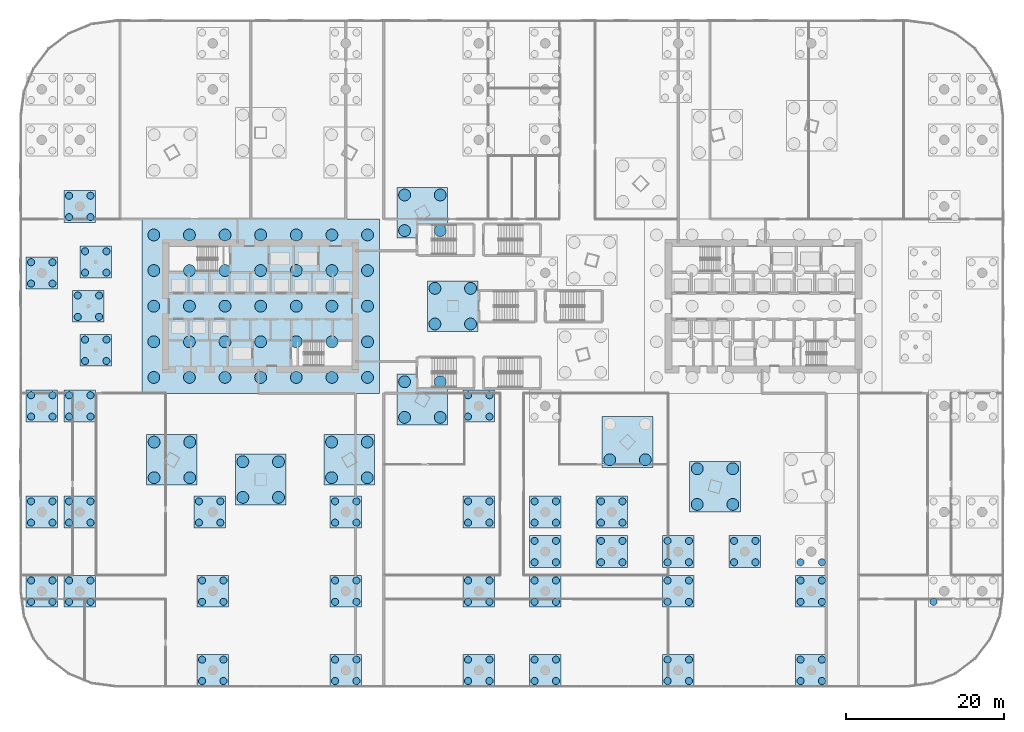
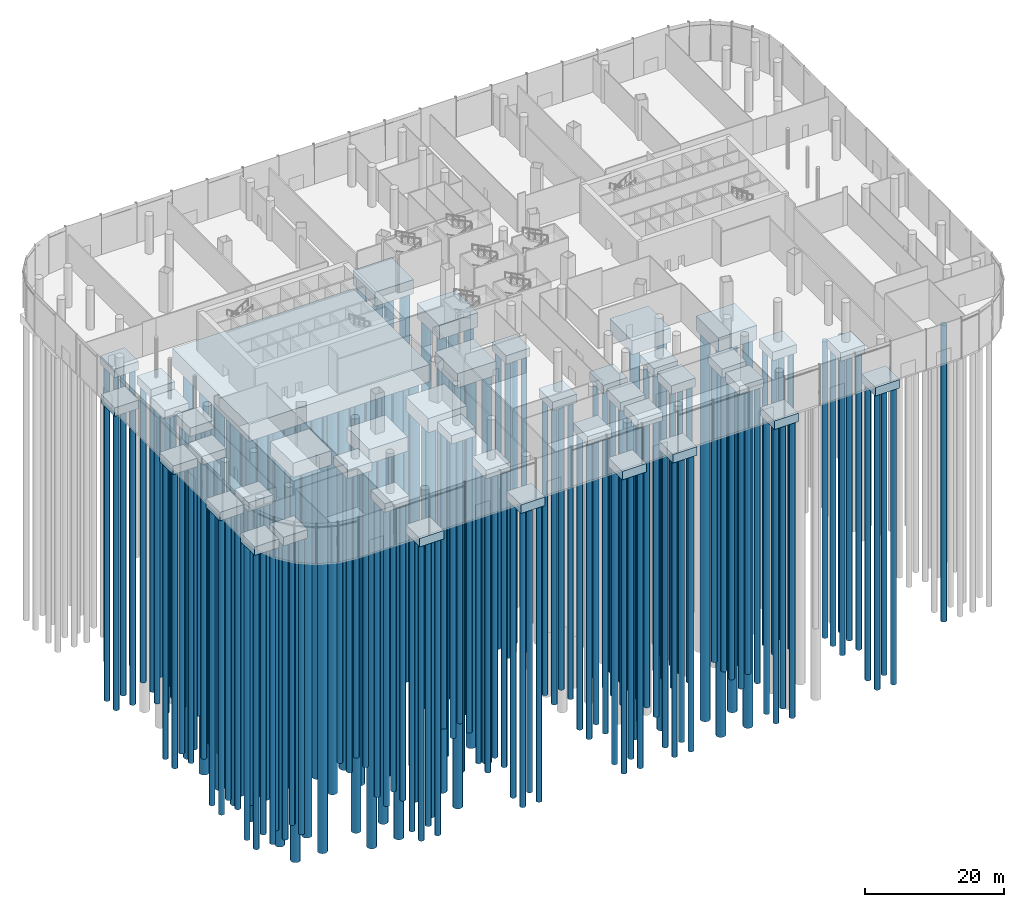
# One storey, part 1 of 41: 200 piles, 42 footings.
"""IFC4 building model written with IfcOpenShell, lengths in metres."""

from ifc_helpers import new_model, si_unit, direction, frame, origin, origin_2d, place, context, subcontext, project, spatial, polyline, rectangle, circle, outline, extrude, material, material_profile, profile_set, type_object, element, save


model = new_model("IFC4")

# Units and contexts
model_context = context("Model", 3, precision=1e-05, world=origin(), true_north=direction((0.0, 1.0)))
body_context = subcontext(model_context, "Body", "Model", "MODEL_VIEW")
ifc_project = project(units=[si_unit("LENGTHUNIT", "METRE"), si_unit("AREAUNIT", "SQUARE_METRE"), si_unit("VOLUMEUNIT", "CUBIC_METRE"), si_unit("PLANEANGLEUNIT", "RADIAN"), si_unit("MASSUNIT", "GRAM", prefix="KILO")], contexts=[model_context])

# Site, building, storey
site_placement = place(None, origin())
site = spatial("IfcSite", under=ifc_project, at=site_placement, CompositionType="ELEMENT")
building_placement = place(site_placement, origin())
building = spatial("IfcBuilding", under=site, at=building_placement, Name="Rimbun Link Towers", CompositionType="ELEMENT")
storey_placement = place(building_placement, origin())
storey = spatial("IfcBuildingStorey", under=building, at=storey_placement, Name="L00", CompositionType="ELEMENT", Elevation=0.0)

# Footings
ifc_material_1 = material(Name="Concrete C50/60", Category="concrete")
footing_type_1 = type_object("IfcFootingType", Name="PILE CAP 4000x4000x1500", PredefinedType="PILE_CAP", material=ifc_material_1)
for number, where, z_axis, x_axis, name in (
    (1, (-52.58642578125, 5.5830078125, -1.800048828125), (0.0, 0.0, 1.0), (1.0, 0.0, 0.0), "Recess post cap T1 11"),
    (2, (-53.50927734375, 0.0, -1.800048828125), (0.0, 0.0, 1.0), (1.0, 0.0, 0.0), "Recess post cap T1 12"),
    (3, (-52.58642578125, -5.5830078125, -1.800048828125), (0.0, 0.0, 1.0), (1.0, 0.0, 0.0), "Recess post cap T1 13"),
    (4, (-59.39990234375, -36.0, -1.800048828125), (0.0, 0.0, 1.0), (1.0, 0.0, 0.0), "Pad cap -59.4 -36.0"),
    (5, (-59.39990234375, -26.0, -1.800048828125), (0.0, 0.0, 1.0), (1.0, 0.0, 0.0), "Pad cap -59.4 -26.0"),
    (6, (-59.39990234375, -12.60009765625, -1.800048828125), (0.0, 0.0, 1.0), (1.0, 0.0, 0.0), "Pad cap -59.4 -12.6"),
    (7, (-59.39990234375, 4.199951171875, -1.800048828125), (0.0, 0.0, 1.0), (1.0, 0.0, 0.0), "Pad cap -59.4 +4.2"),
    (8, (-54.60009765625, -36.0, -1.800048828125), (0.0, 0.0, 1.0), (1.0, 0.0, 0.0), "Pad cap -54.6 -36.0"),
    (9, (-54.60009765625, -26.0, -1.800048828125), (0.0, 0.0, 1.0), (1.0, 0.0, 0.0), "Pad cap -54.6 -26.0"),
    (10, (-54.60009765625, -12.60009765625, -1.800048828125), (0.0, 0.0, 1.0), (1.0, 0.0, 0.0), "Pad cap -54.6 -12.6"),
    (11, (-54.60009765625, 12.60009765625, -1.800048828125), (0.0, 0.0, 1.0), (1.0, 0.0, 0.0), "Pad cap -54.6 +12.6"),
    (12, (-37.800048828125, -46.0, -1.800048828125), (0.0, 0.0, 1.0), (1.0, 0.0, 0.0), "Pad cap -37.8 -46.0"),
    (13, (-37.800048828125, -36.0, -1.800048828125), (0.0, 0.0, 1.0), (1.0, 0.0, 0.0), "Pad cap -37.8 -36.0"),
    (14, (-38.199951171875, -26.0, -1.800048828125), (0.0, 0.0, 1.0), (1.0, 0.0, 0.0), "Pad cap -37.8 -26.0"),
    (15, (-21.0, -46.0, -1.800048828125), (0.0, 0.0, 1.0), (1.0, 0.0, 0.0), "Pad cap -21.0 -46.0"),
    (16, (-21.0, -36.0, -1.800048828125), (0.0, 0.0, 1.0), (1.0, 0.0, 0.0), "Pad cap -21.0 -36.0"),
    (17, (-21.0, -26.0, -1.800048828125), (0.0, 0.0, 1.0), (1.0, 0.0, 0.0), "Pad cap -21.0 -26.0"),
    (18, (-4.199951171875, -46.0, -1.800048828125), (0.0, 0.0, 1.0), (1.0, 0.0, 0.0), "Pad cap -4.2 -46.0"),
    (19, (-4.199951171875, -36.0, -1.800048828125), (0.0, 0.0, 1.0), (1.0, 0.0, 0.0), "Pad cap -4.2 -36.0"),
    (20, (-4.199951171875, -26.0, -1.800048828125), (0.0, 0.0, 1.0), (1.0, 0.0, 0.0), "Pad cap -4.2 -26.0"),
    (21, (-4.199951171875, -12.60009765625, -1.800048828125), (0.0, 0.0, 1.0), (1.0, 0.0, 0.0), "Pad cap -4.2 -12.6"),
    (22, (4.199951171875, -46.0, -1.800048828125), (0.0, 0.0, 1.0), (1.0, 0.0, 0.0), "Pad cap +4.2 -46.0"),
    (23, (4.199951171875, -36.0, -1.800048828125), (0.0, 0.0, 1.0), (1.0, 0.0, 0.0), "Pad cap +4.2 -36.0"),
    (24, (4.199951171875, -31.0, -1.800048828125), (0.0, 0.0, 1.0), (1.0, 0.0, 0.0), "Pad cap +4.2 -31.0"),
    (25, (4.199951171875, -26.0, -1.800048828125), (0.0, 0.0, 1.0), (1.0, 0.0, 0.0), "Pad cap +4.2 -26.0"),
    (26, (12.60009765625, -31.0, -1.800048828125), (0.0, 0.0, 1.0), (1.0, 0.0, 0.0), "Pad cap +12.6 -31.0"),
    (27, (12.60009765625, -26.0, -1.800048828125), (0.0, 0.0, 1.0), (1.0, 0.0, 0.0), "Pad cap +12.6 -26.0"),
    (28, (21.0, -46.0, -1.800048828125), (0.0, 0.0, 1.0), (1.0, 0.0, 0.0), "Pad cap +21.0 -46.0"),
    (29, (21.0, -36.0, -1.800048828125), (0.0, 0.0, 1.0), (1.0, 0.0, 0.0), "Pad cap +21.0 -36.0"),
    (30, (21.0, -31.0, -1.800048828125), (0.0, 0.0, 1.0), (1.0, 0.0, 0.0), "Pad cap +21.0 -31.0"),
    (31, (29.39990234375, -31.0, -1.800048828125), (0.0, 0.0, 1.0), (1.0, 0.0, 0.0), "Pad cap +29.4 -31.0"),
    (32, (37.800048828125, -46.0, -1.800048828125), (0.0, 0.0, 1.0), (1.0, 0.0, 0.0), "Pad cap +37.8 -46.0"),
    (33, (37.800048828125, -36.0, -1.800048828125), (0.0, 0.0, 1.0), (1.0, 0.0, 0.0), "Pad cap +37.8 -36.0"),
):
    element("IfcFooting", number, at=place(storey_placement, frame(where, z_axis=z_axis, x_axis=x_axis)), inside=storey, type_object=footing_type_1, Name=name, PredefinedType="PILE_CAP", context=body_context, shape_type="SweptSolid", body=[
        extrude(rectangle(XDim=4.0, YDim=4.0, at=origin_2d()), origin(), (0.0, 0.0, 1.0), 1.5),
    ])
ifc_material_2 = material(Name="Concrete C50/60", Category="concrete")
footing_type_2 = type_object("IfcFootingType", Name="PILE CAP 6400x6400x2500", PredefinedType="PILE_CAP", material=ifc_material_2)
for number, where, z_axis, x_axis, name in (
    (34, (-7.4873046875, 0.0, -2.800048828125), (0.0, 0.0, 1.0), (1.0, 0.0, 0.0), "Mega column cap T1 00"),
    (35, (-11.316650390625, 11.797119140625, -2.800048828125), (0.0, 0.0, 1.0), (1.0, 0.0, 0.0), "Mega column cap T1 02"),
    (36, (-42.961181640625, -19.418212890625, -2.800048828125), (0.0, 0.0, 1.0), (1.0, 0.0, 0.0), "Mega column cap T1 16"),
    (37, (-31.75, -21.904296875, -2.800048828125), (0.0, 0.0, 1.0), (1.0, 0.0, 0.0), "Mega column cap T1 18"),
    (38, (-20.538818359375, -19.418212890625, -2.800048828125), (0.0, 0.0, 1.0), (1.0, 0.0, 0.0), "Mega column cap T1 20"),
    (39, (-11.316650390625, -11.797119140625, -2.800048828125), (0.0, 0.0, 1.0), (1.0, 0.0, 0.0), "Mega column cap T1 22"),
    (40, (14.59375, -17.15625, -2.800048828125), (0.0, 0.0, 1.0), (1.0, 0.0, 0.0), "Mega column cap T2 12"),
    (41, (25.643310546875, -22.790283203125, -2.800048828125), (0.0, 0.0, 1.0), (1.0, 0.0, 0.0), "Mega column cap T2 14"),
):
    element("IfcFooting", number, at=place(storey_placement, frame(where, z_axis=z_axis, x_axis=x_axis)), inside=storey, type_object=footing_type_2, Name=name, PredefinedType="PILE_CAP", context=body_context, shape_type="SweptSolid", body=[
        extrude(rectangle(XDim=6.39990234375, YDim=6.39990234375, at=origin_2d()), origin(), (0.0, 0.0, 1.0), 2.5),
    ])

# Piles
ifc_material_3 = material(Name="Concrete C40/50", Category="concrete")
ifc_material_profile_1 = material_profile(ifc_material_3, circle(Radius=0.75, at=origin_2d()), Name="PILE D1500")
ifc_profile_set_1 = profile_set([ifc_material_profile_1], Name="Concrete C40/50")
pile_type_1 = type_object("IfcPileType", Name="PILE D1500", PredefinedType="BORED", material=ifc_profile_set_1)
for number, where, z_axis, x_axis, name in (
    (42, (-45.25, -9.0, -3.199951171875), (0.0, 0.0, -1.0), (1.0, 0.0, 0.0), "Pile T1 raft 01"),
    (43, (-45.25, -4.5, -3.199951171875), (0.0, 0.0, -1.0), (1.0, 0.0, 0.0), "Pile T1 raft 02"),
    (44, (-45.25, 0.0, -3.199951171875), (0.0, 0.0, -1.0), (1.0, 0.0, 0.0), "Pile T1 raft 03"),
    (45, (-45.25, 4.5, -3.199951171875), (0.0, 0.0, -1.0), (1.0, 0.0, 0.0), "Pile T1 raft 04"),
    (46, (-45.25, 9.0, -3.199951171875), (0.0, 0.0, -1.0), (1.0, 0.0, 0.0), "Pile T1 raft 05"),
    (47, (-40.75, -9.0, -3.199951171875), (0.0, 0.0, -1.0), (1.0, 0.0, 0.0), "Pile T1 raft 06"),
    (48, (-40.75, -4.5, -3.199951171875), (0.0, 0.0, -1.0), (1.0, 0.0, 0.0), "Pile T1 raft 07"),
    (49, (-40.75, 0.0, -3.199951171875), (0.0, 0.0, -1.0), (1.0, 0.0, 0.0), "Pile T1 raft 08"),
    (50, (-40.75, 4.5, -3.199951171875), (0.0, 0.0, -1.0), (1.0, 0.0, 0.0), "Pile T1 raft 09"),
    (51, (-40.75, 9.0, -3.199951171875), (0.0, 0.0, -1.0), (1.0, 0.0, 0.0), "Pile T1 raft 10"),
    (52, (-36.25, -9.0, -3.199951171875), (0.0, 0.0, -1.0), (1.0, 0.0, 0.0), "Pile T1 raft 11"),
    (53, (-36.25, -4.5, -3.199951171875), (0.0, 0.0, -1.0), (1.0, 0.0, 0.0), "Pile T1 raft 12"),
    (54, (-36.25, 0.0, -3.199951171875), (0.0, 0.0, -1.0), (1.0, 0.0, 0.0), "Pile T1 raft 13"),
    (55, (-36.25, 4.5, -3.199951171875), (0.0, 0.0, -1.0), (1.0, 0.0, 0.0), "Pile T1 raft 14"),
    (56, (-36.25, 9.0, -3.199951171875), (0.0, 0.0, -1.0), (1.0, 0.0, 0.0), "Pile T1 raft 15"),
    (57, (-31.75, -9.0, -3.199951171875), (0.0, 0.0, -1.0), (1.0, 0.0, 0.0), "Pile T1 raft 16"),
    (58, (-31.75, -4.5, -3.199951171875), (0.0, 0.0, -1.0), (1.0, 0.0, 0.0), "Pile T1 raft 17"),
    (59, (-31.75, 0.0, -3.199951171875), (0.0, 0.0, -1.0), (1.0, 0.0, 0.0), "Pile T1 raft 18"),
    (60, (-31.75, 4.5, -3.199951171875), (0.0, 0.0, -1.0), (1.0, 0.0, 0.0), "Pile T1 raft 19"),
    (61, (-31.75, 9.0, -3.199951171875), (0.0, 0.0, -1.0), (1.0, 0.0, 0.0), "Pile T1 raft 20"),
    (62, (-27.25, -9.0, -3.199951171875), (0.0, 0.0, -1.0), (1.0, 0.0, 0.0), "Pile T1 raft 21"),
    (63, (-27.25, -4.5, -3.199951171875), (0.0, 0.0, -1.0), (1.0, 0.0, 0.0), "Pile T1 raft 22"),
    (64, (-27.25, 0.0, -3.199951171875), (0.0, 0.0, -1.0), (1.0, 0.0, 0.0), "Pile T1 raft 23"),
    (65, (-27.25, 4.5, -3.199951171875), (0.0, 0.0, -1.0), (1.0, 0.0, 0.0), "Pile T1 raft 24"),
    (66, (-27.25, 9.0, -3.199951171875), (0.0, 0.0, -1.0), (1.0, 0.0, 0.0), "Pile T1 raft 25"),
    (67, (-22.75, -9.0, -3.199951171875), (0.0, 0.0, -1.0), (1.0, 0.0, 0.0), "Pile T1 raft 26"),
    (68, (-22.75, -4.5, -3.199951171875), (0.0, 0.0, -1.0), (1.0, 0.0, 0.0), "Pile T1 raft 27"),
    (69, (-22.75, 0.0, -3.199951171875), (0.0, 0.0, -1.0), (1.0, 0.0, 0.0), "Pile T1 raft 28"),
    (70, (-22.75, 4.5, -3.199951171875), (0.0, 0.0, -1.0), (1.0, 0.0, 0.0), "Pile T1 raft 29"),
    (71, (-22.75, 9.0, -3.199951171875), (0.0, 0.0, -1.0), (1.0, 0.0, 0.0), "Pile T1 raft 30"),
    (72, (-18.25, -9.0, -3.199951171875), (0.0, 0.0, -1.0), (1.0, 0.0, 0.0), "Pile T1 raft 31"),
    (73, (-18.25, -4.5, -3.199951171875), (0.0, 0.0, -1.0), (1.0, 0.0, 0.0), "Pile T1 raft 32"),
    (74, (-18.25, 0.0, -3.199951171875), (0.0, 0.0, -1.0), (1.0, 0.0, 0.0), "Pile T1 raft 33"),
    (75, (-18.25, 4.5, -3.199951171875), (0.0, 0.0, -1.0), (1.0, 0.0, 0.0), "Pile T1 raft 34"),
    (76, (-18.25, 9.0, -3.199951171875), (0.0, 0.0, -1.0), (1.0, 0.0, 0.0), "Pile T1 raft 35"),
    (77, (-9.7373046875, -2.25, -2.699951171875), (0.0, 0.0, -1.0), (1.0, 0.0, 0.0), "Pile T1 cap 00 01"),
    (78, (-9.7373046875, 2.25, -2.699951171875), (0.0, 0.0, -1.0), (1.0, 0.0, 0.0), "Pile T1 cap 00 02"),
    (79, (-5.2373046875, -2.25, -2.699951171875), (0.0, 0.0, -1.0), (1.0, 0.0, 0.0), "Pile T1 cap 00 03"),
    (80, (-5.2373046875, 2.25, -2.699951171875), (0.0, 0.0, -1.0), (1.0, 0.0, 0.0), "Pile T1 cap 00 04"),
    (81, (-13.566650390625, 9.547119140625, -2.699951171875), (0.0, 0.0, -1.0), (1.0, 0.0, 0.0), "Pile T1 cap 02 01"),
    (82, (-13.566650390625, 14.047119140625, -2.699951171875), (0.0, 0.0, -1.0), (1.0, 0.0, 0.0), "Pile T1 cap 02 02"),
    (83, (-9.066650390625, 9.547119140625, -2.699951171875), (0.0, 0.0, -1.0), (1.0, 0.0, 0.0), "Pile T1 cap 02 03"),
    (84, (-9.066650390625, 14.047119140625, -2.699951171875), (0.0, 0.0, -1.0), (1.0, 0.0, 0.0), "Pile T1 cap 02 04"),
    (85, (-45.211181640625, -21.668212890625, -2.699951171875), (0.0, 0.0, -1.0), (1.0, 0.0, 0.0), "Pile T1 cap 16 01"),
    (86, (-45.211181640625, -17.168212890625, -2.699951171875), (0.0, 0.0, -1.0), (1.0, 0.0, 0.0), "Pile T1 cap 16 02"),
    (87, (-40.711181640625, -21.668212890625, -2.699951171875), (0.0, 0.0, -1.0), (1.0, 0.0, 0.0), "Pile T1 cap 16 03"),
    (88, (-40.711181640625, -17.168212890625, -2.699951171875), (0.0, 0.0, -1.0), (1.0, 0.0, 0.0), "Pile T1 cap 16 04"),
    (89, (-34.0, -24.154296875, -2.699951171875), (0.0, 0.0, -1.0), (1.0, 0.0, 0.0), "Pile T1 cap 18 01"),
    (90, (-34.0, -19.654296875, -2.699951171875), (0.0, 0.0, -1.0), (1.0, 0.0, 0.0), "Pile T1 cap 18 02"),
    (91, (-29.5, -24.154296875, -2.699951171875), (0.0, 0.0, -1.0), (1.0, 0.0, 0.0), "Pile T1 cap 18 03"),
    (92, (-29.5, -19.654296875, -2.699951171875), (0.0, 0.0, -1.0), (1.0, 0.0, 0.0), "Pile T1 cap 18 04"),
    (93, (-22.788818359375, -21.668212890625, -2.699951171875), (0.0, 0.0, -1.0), (1.0, 0.0, 0.0), "Pile T1 cap 20 01"),
    (94, (-22.788818359375, -17.168212890625, -2.699951171875), (0.0, 0.0, -1.0), (1.0, 0.0, 0.0), "Pile T1 cap 20 02"),
    (95, (-18.288818359375, -21.668212890625, -2.699951171875), (0.0, 0.0, -1.0), (1.0, 0.0, 0.0), "Pile T1 cap 20 03"),
    (96, (-18.288818359375, -17.168212890625, -2.699951171875), (0.0, 0.0, -1.0), (1.0, 0.0, 0.0), "Pile T1 cap 20 04"),
    (97, (-13.566650390625, -14.047119140625, -2.699951171875), (0.0, 0.0, -1.0), (1.0, 0.0, 0.0), "Pile T1 cap 22 01"),
    (98, (-13.566650390625, -9.547119140625, -2.699951171875), (0.0, 0.0, -1.0), (1.0, 0.0, 0.0), "Pile T1 cap 22 02"),
    (99, (-9.066650390625, -14.047119140625, -2.699951171875), (0.0, 0.0, -1.0), (1.0, 0.0, 0.0), "Pile T1 cap 22 03"),
    (100, (-9.066650390625, -9.547119140625, -2.699951171875), (0.0, 0.0, -1.0), (1.0, 0.0, 0.0), "Pile T1 cap 22 04"),
    (101, (12.34375, -19.40625, -2.699951171875), (0.0, 0.0, -1.0), (1.0, 0.0, 0.0), "Pile T2 cap 12 01"),
    (102, (16.84375, -19.40625, -2.699951171875), (0.0, 0.0, -1.0), (1.0, 0.0, 0.0), "Pile T2 cap 12 03"),
    (103, (23.393310546875, -25.040283203125, -2.699951171875), (0.0, 0.0, -1.0), (1.0, 0.0, 0.0), "Pile T2 cap 14 01"),
    (104, (23.393310546875, -20.540283203125, -2.699951171875), (0.0, 0.0, -1.0), (1.0, 0.0, 0.0), "Pile T2 cap 14 02"),
    (105, (27.893310546875, -25.040283203125, -2.699951171875), (0.0, 0.0, -1.0), (1.0, 0.0, 0.0), "Pile T2 cap 14 03"),
    (106, (27.893310546875, -20.540283203125, -2.699951171875), (0.0, 0.0, -1.0), (1.0, 0.0, 0.0), "Pile T2 cap 14 04"),
):
    element("IfcPile", number, at=place(storey_placement, frame(where, z_axis=z_axis, x_axis=x_axis)), inside=storey, type_object=pile_type_1, Name=name, PredefinedType="BORED", context=body_context, shape_type="SweptSolid", body=[
        extrude(circle(Radius=0.75, at=origin_2d()), origin(), (0.0, 0.0, 1.0), 68.0),
    ])
ifc_material_4 = material(Name="Concrete C40/50", Category="concrete")
ifc_material_profile_2 = material_profile(ifc_material_4, circle(Radius=0.449951171875, at=origin_2d()), Name="PILE D900")
ifc_profile_set_2 = profile_set([ifc_material_profile_2], Name="Concrete C40/50")
pile_type_2 = type_object("IfcPileType", Name="PILE D900", PredefinedType="BORED", material=ifc_profile_set_2)
for number, where, z_axis, x_axis, name in (
    (107, (-53.9365234375, 4.233154296875, -1.699951171875), (0.0, 0.0, -1.0), (1.0, 0.0, 0.0), "Pile T1 recess post 11 01"),
    (108, (-53.9365234375, 6.93310546875, -1.699951171875), (0.0, 0.0, -1.0), (1.0, 0.0, 0.0), "Pile T1 recess post 11 02"),
    (109, (-51.236572265625, 4.233154296875, -1.699951171875), (0.0, 0.0, -1.0), (1.0, 0.0, 0.0), "Pile T1 recess post 11 03"),
    (110, (-51.236572265625, 6.93310546875, -1.699951171875), (0.0, 0.0, -1.0), (1.0, 0.0, 0.0), "Pile T1 recess post 11 04"),
    (111, (-54.859375, -1.35009765625, -1.699951171875), (0.0, 0.0, -1.0), (1.0, 0.0, 0.0), "Pile T1 recess post 12 01"),
    (112, (-54.859375, 1.35009765625, -1.699951171875), (0.0, 0.0, -1.0), (1.0, 0.0, 0.0), "Pile T1 recess post 12 02"),
    (113, (-52.1591796875, -1.35009765625, -1.699951171875), (0.0, 0.0, -1.0), (1.0, 0.0, 0.0), "Pile T1 recess post 12 03"),
    (114, (-52.1591796875, 1.35009765625, -1.699951171875), (0.0, 0.0, -1.0), (1.0, 0.0, 0.0), "Pile T1 recess post 12 04"),
    (115, (-53.9365234375, -6.93310546875, -1.699951171875), (0.0, 0.0, -1.0), (1.0, 0.0, 0.0), "Pile T1 recess post 13 01"),
    (116, (-53.9365234375, -4.233154296875, -1.699951171875), (0.0, 0.0, -1.0), (1.0, 0.0, 0.0), "Pile T1 recess post 13 02"),
    (117, (-51.236572265625, -6.93310546875, -1.699951171875), (0.0, 0.0, -1.0), (1.0, 0.0, 0.0), "Pile T1 recess post 13 03"),
    (118, (-51.236572265625, -4.233154296875, -1.699951171875), (0.0, 0.0, -1.0), (1.0, 0.0, 0.0), "Pile T1 recess post 13 04"),
    (119, (-60.75, -37.35009765625, -1.699951171875), (0.0, 0.0, -1.0), (1.0, 0.0, 0.0), "Pile PD -59.4 -36.0 01"),
    (120, (-60.75, -34.64990234375, -1.699951171875), (0.0, 0.0, -1.0), (1.0, 0.0, 0.0), "Pile PD -59.4 -36.0 02"),
    (121, (-58.050048828125, -37.35009765625, -1.699951171875), (0.0, 0.0, -1.0), (1.0, 0.0, 0.0), "Pile PD -59.4 -36.0 03"),
    (122, (-58.050048828125, -34.64990234375, -1.699951171875), (0.0, 0.0, -1.0), (1.0, 0.0, 0.0), "Pile PD -59.4 -36.0 04"),
    (123, (-60.75, -27.35009765625, -1.699951171875), (0.0, 0.0, -1.0), (1.0, 0.0, 0.0), "Pile PD -59.4 -26.0 01"),
    (124, (-60.75, -24.64990234375, -1.699951171875), (0.0, 0.0, -1.0), (1.0, 0.0, 0.0), "Pile PD -59.4 -26.0 02"),
    (125, (-58.050048828125, -27.35009765625, -1.699951171875), (0.0, 0.0, -1.0), (1.0, 0.0, 0.0), "Pile PD -59.4 -26.0 03"),
    (126, (-58.050048828125, -24.64990234375, -1.699951171875), (0.0, 0.0, -1.0), (1.0, 0.0, 0.0), "Pile PD -59.4 -26.0 04"),
    (127, (-60.75, -13.949951171875, -1.699951171875), (0.0, 0.0, -1.0), (1.0, 0.0, 0.0), "Pile PD -59.4 -12.6 01"),
    (128, (-60.75, -11.25, -1.699951171875), (0.0, 0.0, -1.0), (1.0, 0.0, 0.0), "Pile PD -59.4 -12.6 02"),
    (129, (-58.050048828125, -13.949951171875, -1.699951171875), (0.0, 0.0, -1.0), (1.0, 0.0, 0.0), "Pile PD -59.4 -12.6 03"),
    (130, (-58.050048828125, -11.25, -1.699951171875), (0.0, 0.0, -1.0), (1.0, 0.0, 0.0), "Pile PD -59.4 -12.6 04"),
    (131, (-60.75, 2.85009765625, -1.699951171875), (0.0, 0.0, -1.0), (1.0, 0.0, 0.0), "Pile PD -59.4 +4.2 01"),
    (132, (-60.75, 5.550048828125, -1.699951171875), (0.0, 0.0, -1.0), (1.0, 0.0, 0.0), "Pile PD -59.4 +4.2 02"),
    (133, (-58.050048828125, 2.85009765625, -1.699951171875), (0.0, 0.0, -1.0), (1.0, 0.0, 0.0), "Pile PD -59.4 +4.2 03"),
    (134, (-58.050048828125, 5.550048828125, -1.699951171875), (0.0, 0.0, -1.0), (1.0, 0.0, 0.0), "Pile PD -59.4 +4.2 04"),
    (135, (-55.949951171875, -37.35009765625, -1.699951171875), (0.0, 0.0, -1.0), (1.0, 0.0, 0.0), "Pile PD -54.6 -36.0 01"),
    (136, (-55.949951171875, -34.64990234375, -1.699951171875), (0.0, 0.0, -1.0), (1.0, 0.0, 0.0), "Pile PD -54.6 -36.0 02"),
    (137, (-53.25, -37.35009765625, -1.699951171875), (0.0, 0.0, -1.0), (1.0, 0.0, 0.0), "Pile PD -54.6 -36.0 03"),
    (138, (-53.25, -34.64990234375, -1.699951171875), (0.0, 0.0, -1.0), (1.0, 0.0, 0.0), "Pile PD -54.6 -36.0 04"),
    (139, (-55.949951171875, -27.35009765625, -1.699951171875), (0.0, 0.0, -1.0), (1.0, 0.0, 0.0), "Pile PD -54.6 -26.0 01"),
    (140, (-55.949951171875, -24.64990234375, -1.699951171875), (0.0, 0.0, -1.0), (1.0, 0.0, 0.0), "Pile PD -54.6 -26.0 02"),
    (141, (-53.25, -27.35009765625, -1.699951171875), (0.0, 0.0, -1.0), (1.0, 0.0, 0.0), "Pile PD -54.6 -26.0 03"),
    (142, (-53.25, -24.64990234375, -1.699951171875), (0.0, 0.0, -1.0), (1.0, 0.0, 0.0), "Pile PD -54.6 -26.0 04"),
    (143, (-55.949951171875, -13.949951171875, -1.699951171875), (0.0, 0.0, -1.0), (1.0, 0.0, 0.0), "Pile PD -54.6 -12.6 01"),
    (144, (-55.949951171875, -11.25, -1.699951171875), (0.0, 0.0, -1.0), (1.0, 0.0, 0.0), "Pile PD -54.6 -12.6 02"),
    (145, (-53.25, -13.949951171875, -1.699951171875), (0.0, 0.0, -1.0), (1.0, 0.0, 0.0), "Pile PD -54.6 -12.6 03"),
    (146, (-53.25, -11.25, -1.699951171875), (0.0, 0.0, -1.0), (1.0, 0.0, 0.0), "Pile PD -54.6 -12.6 04"),
    (147, (-55.949951171875, 11.25, -1.699951171875), (0.0, 0.0, -1.0), (1.0, 0.0, 0.0), "Pile PD -54.6 +12.6 01"),
    (148, (-55.949951171875, 13.949951171875, -1.699951171875), (0.0, 0.0, -1.0), (1.0, 0.0, 0.0), "Pile PD -54.6 +12.6 02"),
    (149, (-53.25, 11.25, -1.699951171875), (0.0, 0.0, -1.0), (1.0, 0.0, 0.0), "Pile PD -54.6 +12.6 03"),
    (150, (-53.25, 13.949951171875, -1.699951171875), (0.0, 0.0, -1.0), (1.0, 0.0, 0.0), "Pile PD -54.6 +12.6 04"),
    (151, (-39.14990234375, -47.35009765625, -1.699951171875), (0.0, 0.0, -1.0), (1.0, 0.0, 0.0), "Pile PD -37.8 -46.0 01"),
    (152, (-39.14990234375, -44.64990234375, -1.699951171875), (0.0, 0.0, -1.0), (1.0, 0.0, 0.0), "Pile PD -37.8 -46.0 02"),
    (153, (-36.449951171875, -47.35009765625, -1.699951171875), (0.0, 0.0, -1.0), (1.0, 0.0, 0.0), "Pile PD -37.8 -46.0 03"),
    (154, (-36.449951171875, -44.64990234375, -1.699951171875), (0.0, 0.0, -1.0), (1.0, 0.0, 0.0), "Pile PD -37.8 -46.0 04"),
    (155, (-39.14990234375, -37.35009765625, -1.699951171875), (0.0, 0.0, -1.0), (1.0, 0.0, 0.0), "Pile PD -37.8 -36.0 01"),
    (156, (-39.14990234375, -34.64990234375, -1.699951171875), (0.0, 0.0, -1.0), (1.0, 0.0, 0.0), "Pile PD -37.8 -36.0 02"),
    (157, (-36.449951171875, -37.35009765625, -1.699951171875), (0.0, 0.0, -1.0), (1.0, 0.0, 0.0), "Pile PD -37.8 -36.0 03"),
    (158, (-36.449951171875, -34.64990234375, -1.699951171875), (0.0, 0.0, -1.0), (1.0, 0.0, 0.0), "Pile PD -37.8 -36.0 04"),
    (159, (-39.550048828125, -27.35009765625, -1.699951171875), (0.0, 0.0, -1.0), (1.0, 0.0, 0.0), "Pile PD -37.8 -26.0 01"),
    (160, (-39.550048828125, -24.64990234375, -1.699951171875), (0.0, 0.0, -1.0), (1.0, 0.0, 0.0), "Pile PD -37.8 -26.0 02"),
    (161, (-36.85009765625, -27.35009765625, -1.699951171875), (0.0, 0.0, -1.0), (1.0, 0.0, 0.0), "Pile PD -37.8 -26.0 03"),
    (162, (-36.85009765625, -24.64990234375, -1.699951171875), (0.0, 0.0, -1.0), (1.0, 0.0, 0.0), "Pile PD -37.8 -26.0 04"),
    (163, (-22.35009765625, -47.35009765625, -1.699951171875), (0.0, 0.0, -1.0), (1.0, 0.0, 0.0), "Pile PD -21.0 -46.0 01"),
    (164, (-22.35009765625, -44.64990234375, -1.699951171875), (0.0, 0.0, -1.0), (1.0, 0.0, 0.0), "Pile PD -21.0 -46.0 02"),
    (165, (-19.64990234375, -47.35009765625, -1.699951171875), (0.0, 0.0, -1.0), (1.0, 0.0, 0.0), "Pile PD -21.0 -46.0 03"),
    (166, (-19.64990234375, -44.64990234375, -1.699951171875), (0.0, 0.0, -1.0), (1.0, 0.0, 0.0), "Pile PD -21.0 -46.0 04"),
    (167, (-22.35009765625, -37.35009765625, -1.699951171875), (0.0, 0.0, -1.0), (1.0, 0.0, 0.0), "Pile PD -21.0 -36.0 01"),
    (168, (-22.35009765625, -34.64990234375, -1.699951171875), (0.0, 0.0, -1.0), (1.0, 0.0, 0.0), "Pile PD -21.0 -36.0 02"),
    (169, (-19.64990234375, -37.35009765625, -1.699951171875), (0.0, 0.0, -1.0), (1.0, 0.0, 0.0), "Pile PD -21.0 -36.0 03"),
    (170, (-19.64990234375, -34.64990234375, -1.699951171875), (0.0, 0.0, -1.0), (1.0, 0.0, 0.0), "Pile PD -21.0 -36.0 04"),
    (171, (-22.35009765625, -27.35009765625, -1.699951171875), (0.0, 0.0, -1.0), (1.0, 0.0, 0.0), "Pile PD -21.0 -26.0 01"),
    (172, (-22.35009765625, -24.64990234375, -1.699951171875), (0.0, 0.0, -1.0), (1.0, 0.0, 0.0), "Pile PD -21.0 -26.0 02"),
    (173, (-19.64990234375, -27.35009765625, -1.699951171875), (0.0, 0.0, -1.0), (1.0, 0.0, 0.0), "Pile PD -21.0 -26.0 03"),
    (174, (-19.64990234375, -24.64990234375, -1.699951171875), (0.0, 0.0, -1.0), (1.0, 0.0, 0.0), "Pile PD -21.0 -26.0 04"),
    (175, (-5.550048828125, -47.35009765625, -1.699951171875), (0.0, 0.0, -1.0), (1.0, 0.0, 0.0), "Pile PD -4.2 -46.0 01"),
    (176, (-5.550048828125, -44.64990234375, -1.699951171875), (0.0, 0.0, -1.0), (1.0, 0.0, 0.0), "Pile PD -4.2 -46.0 02"),
    (177, (-2.85009765625, -47.35009765625, -1.699951171875), (0.0, 0.0, -1.0), (1.0, 0.0, 0.0), "Pile PD -4.2 -46.0 03"),
    (178, (-2.85009765625, -44.64990234375, -1.699951171875), (0.0, 0.0, -1.0), (1.0, 0.0, 0.0), "Pile PD -4.2 -46.0 04"),
    (179, (-5.550048828125, -37.35009765625, -1.699951171875), (0.0, 0.0, -1.0), (1.0, 0.0, 0.0), "Pile PD -4.2 -36.0 01"),
    (180, (-5.550048828125, -34.64990234375, -1.699951171875), (0.0, 0.0, -1.0), (1.0, 0.0, 0.0), "Pile PD -4.2 -36.0 02"),
    (181, (-2.85009765625, -37.35009765625, -1.699951171875), (0.0, 0.0, -1.0), (1.0, 0.0, 0.0), "Pile PD -4.2 -36.0 03"),
    (182, (-2.85009765625, -34.64990234375, -1.699951171875), (0.0, 0.0, -1.0), (1.0, 0.0, 0.0), "Pile PD -4.2 -36.0 04"),
    (183, (-5.550048828125, -27.35009765625, -1.699951171875), (0.0, 0.0, -1.0), (1.0, 0.0, 0.0), "Pile PD -4.2 -26.0 01"),
    (184, (-5.550048828125, -24.64990234375, -1.699951171875), (0.0, 0.0, -1.0), (1.0, 0.0, 0.0), "Pile PD -4.2 -26.0 02"),
    (185, (-2.85009765625, -27.35009765625, -1.699951171875), (0.0, 0.0, -1.0), (1.0, 0.0, 0.0), "Pile PD -4.2 -26.0 03"),
    (186, (-2.85009765625, -24.64990234375, -1.699951171875), (0.0, 0.0, -1.0), (1.0, 0.0, 0.0), "Pile PD -4.2 -26.0 04"),
    (187, (-5.550048828125, -13.949951171875, -1.699951171875), (0.0, 0.0, -1.0), (1.0, 0.0, 0.0), "Pile PD -4.2 -12.6 01"),
    (188, (-5.550048828125, -11.25, -1.699951171875), (0.0, 0.0, -1.0), (1.0, 0.0, 0.0), "Pile PD -4.2 -12.6 02"),
    (189, (-2.85009765625, -13.949951171875, -1.699951171875), (0.0, 0.0, -1.0), (1.0, 0.0, 0.0), "Pile PD -4.2 -12.6 03"),
    (190, (-2.85009765625, -11.25, -1.699951171875), (0.0, 0.0, -1.0), (1.0, 0.0, 0.0), "Pile PD -4.2 -12.6 04"),
    (191, (2.85009765625, -47.35009765625, -1.699951171875), (0.0, 0.0, -1.0), (1.0, 0.0, 0.0), "Pile PD +4.2 -46.0 01"),
    (192, (2.85009765625, -44.64990234375, -1.699951171875), (0.0, 0.0, -1.0), (1.0, 0.0, 0.0), "Pile PD +4.2 -46.0 02"),
    (193, (5.550048828125, -47.35009765625, -1.699951171875), (0.0, 0.0, -1.0), (1.0, 0.0, 0.0), "Pile PD +4.2 -46.0 03"),
    (194, (5.550048828125, -44.64990234375, -1.699951171875), (0.0, 0.0, -1.0), (1.0, 0.0, 0.0), "Pile PD +4.2 -46.0 04"),
    (195, (2.85009765625, -37.35009765625, -1.699951171875), (0.0, 0.0, -1.0), (1.0, 0.0, 0.0), "Pile PD +4.2 -36.0 01"),
    (196, (2.85009765625, -34.64990234375, -1.699951171875), (0.0, 0.0, -1.0), (1.0, 0.0, 0.0), "Pile PD +4.2 -36.0 02"),
    (197, (5.550048828125, -37.35009765625, -1.699951171875), (0.0, 0.0, -1.0), (1.0, 0.0, 0.0), "Pile PD +4.2 -36.0 03"),
    (198, (5.550048828125, -34.64990234375, -1.699951171875), (0.0, 0.0, -1.0), (1.0, 0.0, 0.0), "Pile PD +4.2 -36.0 04"),
    (199, (2.85009765625, -32.35009765625, -1.699951171875), (0.0, 0.0, -1.0), (1.0, 0.0, 0.0), "Pile PD +4.2 -31.0 01"),
    (200, (2.85009765625, -29.64990234375, -1.699951171875), (0.0, 0.0, -1.0), (1.0, 0.0, 0.0), "Pile PD +4.2 -31.0 02"),
    (201, (5.550048828125, -32.35009765625, -1.699951171875), (0.0, 0.0, -1.0), (1.0, 0.0, 0.0), "Pile PD +4.2 -31.0 03"),
    (202, (5.550048828125, -29.64990234375, -1.699951171875), (0.0, 0.0, -1.0), (1.0, 0.0, 0.0), "Pile PD +4.2 -31.0 04"),
    (203, (2.85009765625, -27.35009765625, -1.699951171875), (0.0, 0.0, -1.0), (1.0, 0.0, 0.0), "Pile PD +4.2 -26.0 01"),
    (204, (2.85009765625, -24.64990234375, -1.699951171875), (0.0, 0.0, -1.0), (1.0, 0.0, 0.0), "Pile PD +4.2 -26.0 02"),
    (205, (5.550048828125, -27.35009765625, -1.699951171875), (0.0, 0.0, -1.0), (1.0, 0.0, 0.0), "Pile PD +4.2 -26.0 03"),
    (206, (5.550048828125, -24.64990234375, -1.699951171875), (0.0, 0.0, -1.0), (1.0, 0.0, 0.0), "Pile PD +4.2 -26.0 04"),
    (207, (11.25, -32.35009765625, -1.699951171875), (0.0, 0.0, -1.0), (1.0, 0.0, 0.0), "Pile PD +12.6 -31.0 01"),
    (208, (11.25, -29.64990234375, -1.699951171875), (0.0, 0.0, -1.0), (1.0, 0.0, 0.0), "Pile PD +12.6 -31.0 02"),
    (209, (13.949951171875, -32.35009765625, -1.699951171875), (0.0, 0.0, -1.0), (1.0, 0.0, 0.0), "Pile PD +12.6 -31.0 03"),
    (210, (13.949951171875, -29.64990234375, -1.699951171875), (0.0, 0.0, -1.0), (1.0, 0.0, 0.0), "Pile PD +12.6 -31.0 04"),
    (211, (11.25, -27.35009765625, -1.699951171875), (0.0, 0.0, -1.0), (1.0, 0.0, 0.0), "Pile PD +12.6 -26.0 01"),
    (212, (11.25, -24.64990234375, -1.699951171875), (0.0, 0.0, -1.0), (1.0, 0.0, 0.0), "Pile PD +12.6 -26.0 02"),
    (213, (13.949951171875, -27.35009765625, -1.699951171875), (0.0, 0.0, -1.0), (1.0, 0.0, 0.0), "Pile PD +12.6 -26.0 03"),
    (214, (13.949951171875, -24.64990234375, -1.699951171875), (0.0, 0.0, -1.0), (1.0, 0.0, 0.0), "Pile PD +12.6 -26.0 04"),
    (215, (19.64990234375, -47.35009765625, -1.699951171875), (0.0, 0.0, -1.0), (1.0, 0.0, 0.0), "Pile PD +21.0 -46.0 01"),
    (216, (19.64990234375, -44.64990234375, -1.699951171875), (0.0, 0.0, -1.0), (1.0, 0.0, 0.0), "Pile PD +21.0 -46.0 02"),
    (217, (22.35009765625, -47.35009765625, -1.699951171875), (0.0, 0.0, -1.0), (1.0, 0.0, 0.0), "Pile PD +21.0 -46.0 03"),
    (218, (22.35009765625, -44.64990234375, -1.699951171875), (0.0, 0.0, -1.0), (1.0, 0.0, 0.0), "Pile PD +21.0 -46.0 04"),
    (219, (19.64990234375, -37.35009765625, -1.699951171875), (0.0, 0.0, -1.0), (1.0, 0.0, 0.0), "Pile PD +21.0 -36.0 01"),
    (220, (19.64990234375, -34.64990234375, -1.699951171875), (0.0, 0.0, -1.0), (1.0, 0.0, 0.0), "Pile PD +21.0 -36.0 02"),
    (221, (22.35009765625, -37.35009765625, -1.699951171875), (0.0, 0.0, -1.0), (1.0, 0.0, 0.0), "Pile PD +21.0 -36.0 03"),
    (222, (22.35009765625, -34.64990234375, -1.699951171875), (0.0, 0.0, -1.0), (1.0, 0.0, 0.0), "Pile PD +21.0 -36.0 04"),
    (223, (19.64990234375, -32.35009765625, -1.699951171875), (0.0, 0.0, -1.0), (1.0, 0.0, 0.0), "Pile PD +21.0 -31.0 01"),
    (224, (19.64990234375, -29.64990234375, -1.699951171875), (0.0, 0.0, -1.0), (1.0, 0.0, 0.0), "Pile PD +21.0 -31.0 02"),
    (225, (22.35009765625, -32.35009765625, -1.699951171875), (0.0, 0.0, -1.0), (1.0, 0.0, 0.0), "Pile PD +21.0 -31.0 03"),
    (226, (22.35009765625, -29.64990234375, -1.699951171875), (0.0, 0.0, -1.0), (1.0, 0.0, 0.0), "Pile PD +21.0 -31.0 04"),
    (227, (28.050048828125, -32.35009765625, -1.699951171875), (0.0, 0.0, -1.0), (1.0, 0.0, 0.0), "Pile PD +29.4 -31.0 01"),
    (228, (28.050048828125, -29.64990234375, -1.699951171875), (0.0, 0.0, -1.0), (1.0, 0.0, 0.0), "Pile PD +29.4 -31.0 02"),
    (229, (30.75, -32.35009765625, -1.699951171875), (0.0, 0.0, -1.0), (1.0, 0.0, 0.0), "Pile PD +29.4 -31.0 03"),
    (230, (30.75, -29.64990234375, -1.699951171875), (0.0, 0.0, -1.0), (1.0, 0.0, 0.0), "Pile PD +29.4 -31.0 04"),
    (231, (36.449951171875, -47.35009765625, -1.699951171875), (0.0, 0.0, -1.0), (1.0, 0.0, 0.0), "Pile PD +37.8 -46.0 01"),
    (232, (36.449951171875, -44.64990234375, -1.699951171875), (0.0, 0.0, -1.0), (1.0, 0.0, 0.0), "Pile PD +37.8 -46.0 02"),
    (233, (39.14990234375, -47.35009765625, -1.699951171875), (0.0, 0.0, -1.0), (1.0, 0.0, 0.0), "Pile PD +37.8 -46.0 03"),
    (234, (39.14990234375, -44.64990234375, -1.699951171875), (0.0, 0.0, -1.0), (1.0, 0.0, 0.0), "Pile PD +37.8 -46.0 04"),
    (235, (36.449951171875, -37.35009765625, -1.699951171875), (0.0, 0.0, -1.0), (1.0, 0.0, 0.0), "Pile PD +37.8 -36.0 01"),
    (236, (36.449951171875, -34.64990234375, -1.699951171875), (0.0, 0.0, -1.0), (1.0, 0.0, 0.0), "Pile PD +37.8 -36.0 02"),
    (237, (39.14990234375, -37.35009765625, -1.699951171875), (0.0, 0.0, -1.0), (1.0, 0.0, 0.0), "Pile PD +37.8 -36.0 03"),
    (238, (39.14990234375, -34.64990234375, -1.699951171875), (0.0, 0.0, -1.0), (1.0, 0.0, 0.0), "Pile PD +37.8 -36.0 04"),
    (239, (36.449951171875, -32.35009765625, -1.699951171875), (0.0, 0.0, -1.0), (1.0, 0.0, 0.0), "Pile PD +37.8 -31.0 01"),
    (240, (39.14990234375, -32.35009765625, -1.699951171875), (0.0, 0.0, -1.0), (1.0, 0.0, 0.0), "Pile PD +37.8 -31.0 03"),
    (241, (53.25, -37.35009765625, -1.699951171875), (0.0, 0.0, -1.0), (1.0, 0.0, 0.0), "Pile PD +54.6 -36.0 01"),
):
    element("IfcPile", number, at=place(storey_placement, frame(where, z_axis=z_axis, x_axis=x_axis)), inside=storey, type_object=pile_type_2, Name=name, PredefinedType="BORED", context=body_context, shape_type="SweptSolid", body=[
        extrude(circle(Radius=0.449951171875, at=origin_2d()), origin(), (0.0, 0.0, 1.0), 52.0),
    ])

# Footing
ifc_material_5 = material(Name="Concrete C50/60", Category="concrete")
footing_type_3 = type_object("IfcFootingType", Name="RAFT 30000x22000x3000", PredefinedType="PILE_CAP", material=ifc_material_5)
footing_placement = place(storey_placement, frame((0.0, 0.0, -3.300048828125)))
element("IfcFooting", 242, at=footing_placement, inside=storey, type_object=footing_type_3, Name="Core raft T1", PredefinedType="PILE_CAP", context=body_context, shape_type="SweptSolid", body=[
    extrude(outline(polyline([(-46.75, -11.0), (-16.75, -11.0), (-16.75, 11.0), (-46.75, 11.0), (-46.75, -11.0)])), origin(), (0.0, 0.0, 1.0), 3.0),
])

save(model, "model.ifc")
